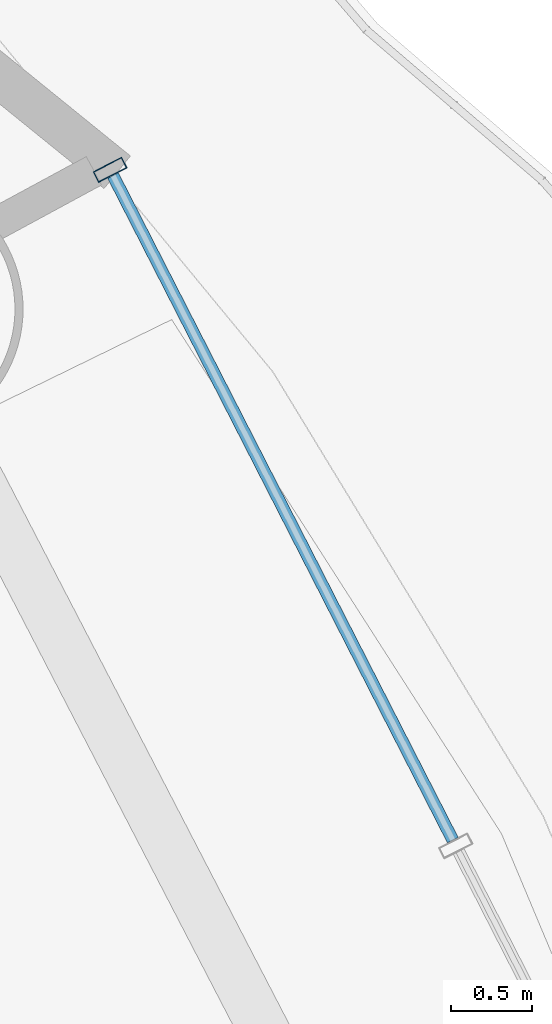
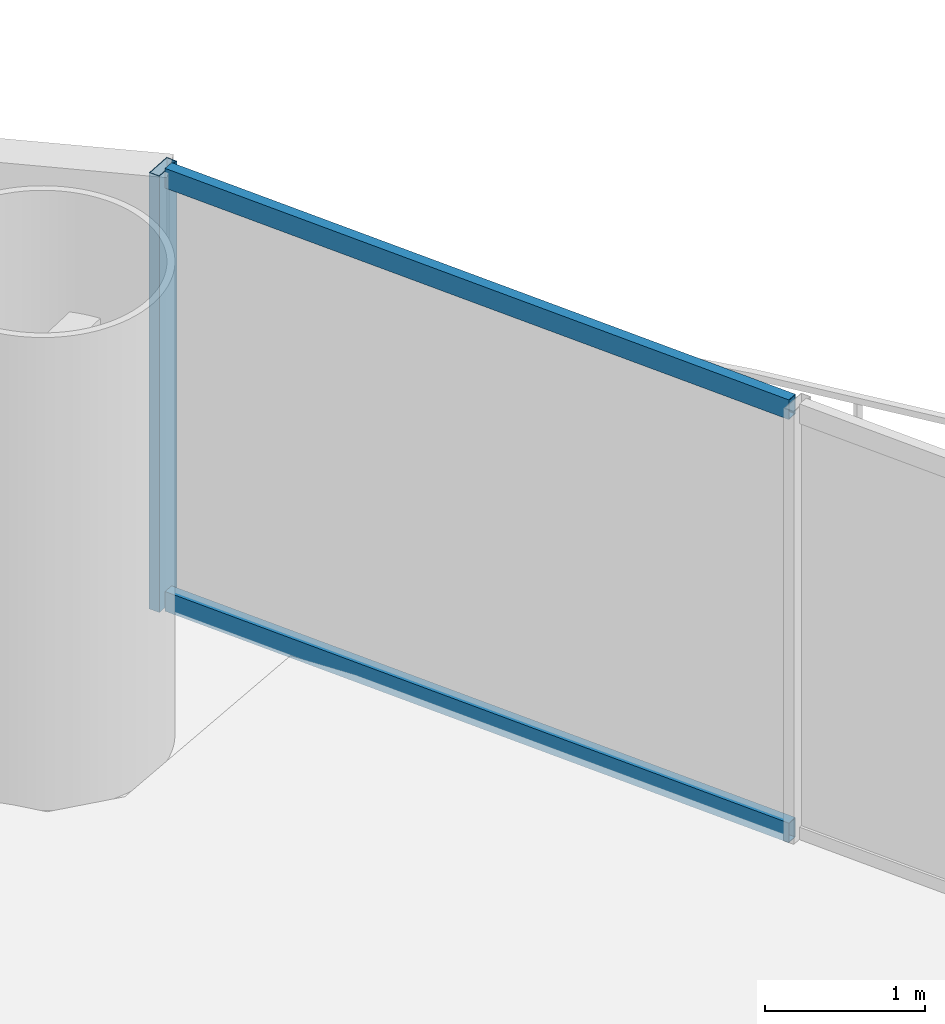
# One storey, part 21 of 30: 3 members, 1 element without a shape of its own.
"""IFC4 building model written with IfcOpenShell, lengths in metres."""

from ifc_helpers import new_model, si_unit, direction, frame, origin, origin_2d, place, context, subcontext, project, spatial, hollow_rectangle, extrude, source, transform, mapped, material, material_profile, profile_set, type_object, element, aggregate, save


model = new_model("IFC4")

# Units and contexts
model_context = context("Model", 3, precision=1e-05, world=origin(), true_north=direction((-0.2419218956, 0.970295726276)))
body_context = subcontext(model_context, "Body", "Model", "MODEL_VIEW")
ifc_project = project(units=[si_unit("LENGTHUNIT", "METRE"), si_unit("AREAUNIT", "SQUARE_METRE"), si_unit("VOLUMEUNIT", "CUBIC_METRE"), si_unit("PLANEANGLEUNIT", "RADIAN"), si_unit("MASSUNIT", "GRAM", prefix="KILO")], contexts=[model_context])

# Site, building, storey
site_placement = place(None, origin())
site = spatial("IfcSite", under=ifc_project, at=site_placement, CompositionType="ELEMENT")
building_placement = place(site_placement, origin())
building = spatial("IfcBuilding", under=site, at=building_placement, Name="Cobrevalo Terracotta Tower", CompositionType="ELEMENT")
storey_placement = place(building_placement, frame((0.0, 0.0, 63.60009765625)))
storey = spatial("IfcBuildingStorey", under=building, at=storey_placement, Name="L16", CompositionType="ELEMENT", Elevation=63.60009765625)

# Curtain wall, members
ifc_material = material(Name="Anodized aluminium", Category="aluminium")
curtain_wall_type = type_object("IfcCurtainWallType", Name="Lower-tower unitised acoustic low-E curtain wall CW-U1", PredefinedType="NOTDEFINED", material=ifc_material)
curtain_wall_placement = place(storey_placement, origin())
curtain_wall = element("IfcCurtainWall", 1, at=curtain_wall_placement, inside=storey, type_object=curtain_wall_type, Name="L16 curtain wall CW-L16-S01", PredefinedType="NOTDEFINED")
ifc_material_profile_1 = material_profile(ifc_material, hollow_rectangle(XDim=0.074951171875, YDim=0.199951171875, WallThickness=0.0048828125, at=origin_2d()), Name="CWM 75x200")
ifc_profile_set_1 = profile_set([ifc_material_profile_1], Name="Anodized aluminium")
member_type_1 = type_object("IfcMemberType", Name="Lower/mid tower unitised mullion 75x200", PredefinedType="MULLION", material=ifc_profile_set_1)
shared_shape_1 = source(origin(), body_context, "Body", "SweptSolid", [
    extrude(hollow_rectangle(XDim=0.074951171875, YDim=0.199951171875, WallThickness=0.0048828125, at=origin_2d()), origin(), (0.0, 0.0, 1.0), 3.31982421875),
])
member_1_placement = place(storey_placement, frame((62.10595703125, 39.8037109375, 0.0), z_axis=(0.0, 0.0, 1.0), x_axis=(-0.455234136597, 0.890371765543, 0.0)))
member_1 = element("IfcMember", 2, at=member_1_placement, type_object=member_type_1, Name="CW-L16-S01 vertical mullion 03", PredefinedType="MULLION", context=body_context, shape_type="MappedRepresentation", body=[
    mapped(shared_shape_1, transform((0.0, 0.0, 0.0), scale=1.0)),
])
ifc_material_profile_2 = material_profile(ifc_material, hollow_rectangle(XDim=0.074951171875, YDim=0.14990234375, WallThickness=0.00439453125, at=origin_2d()), Name="CWT 75x150")
ifc_profile_set_2 = profile_set([ifc_material_profile_2], Name="Anodized aluminium")
member_type_2 = type_object("IfcMemberType", Name="Tower unitised aluminium transom 75x150", PredefinedType="USERDEFINED", material=ifc_profile_set_2)
shared_shape_2 = source(origin(), body_context, "Body", "SweptSolid", [
    extrude(hollow_rectangle(XDim=0.074951171875, YDim=0.14990234375, WallThickness=0.00439453125, at=origin_2d()), origin(), (0.0, 0.0, 1.0), 4.63134765625),
])
member_2_placement = place(storey_placement, frame((64.232421875, 35.64453125, 0.0498046875), z_axis=(-0.455250376494, 0.890363462133, 0.0), x_axis=(-0.890363462133, -0.455250376494, 0.0)))
member_2 = element("IfcMember", 3, at=member_2_placement, type_object=member_type_2, Name="CW-L16-S01 transom B02-T1", ObjectType="TRANSOM", PredefinedType="USERDEFINED", context=body_context, shape_type="MappedRepresentation", body=[
    mapped(shared_shape_2, transform((0.0, 0.0, 0.0), scale=1.0)),
])
member_3_placement = place(storey_placement, frame((64.232421875, 35.64453125, 3.27001953125), z_axis=(-0.455250376494, 0.890363462133, 0.0), x_axis=(-0.890363462133, -0.455250376494, 0.0)))
member_3 = element("IfcMember", 4, at=member_3_placement, type_object=member_type_2, Name="CW-L16-S01 transom B02-T2", ObjectType="TRANSOM", PredefinedType="USERDEFINED", context=body_context, shape_type="MappedRepresentation", body=[
    mapped(shared_shape_2, transform((0.0, 0.0, 0.0), scale=1.0)),
])
aggregate(curtain_wall, [member_1, member_2, member_3])

save(model, "model.ifc")
